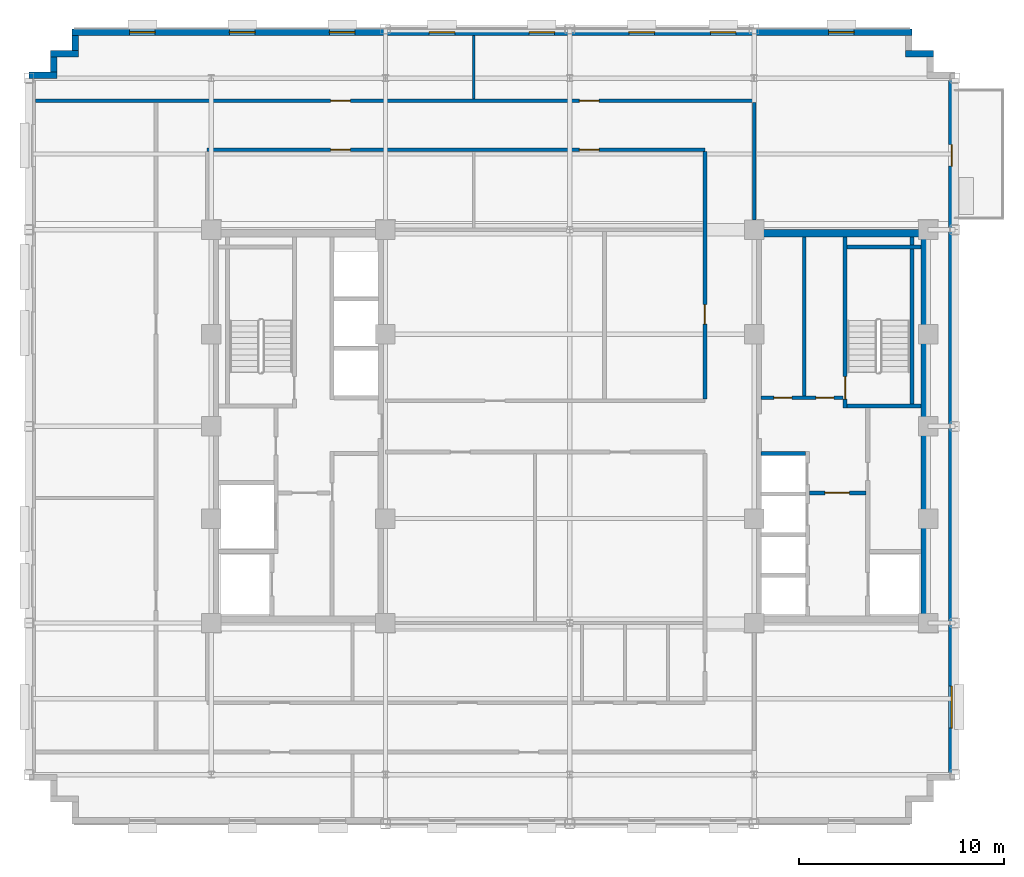
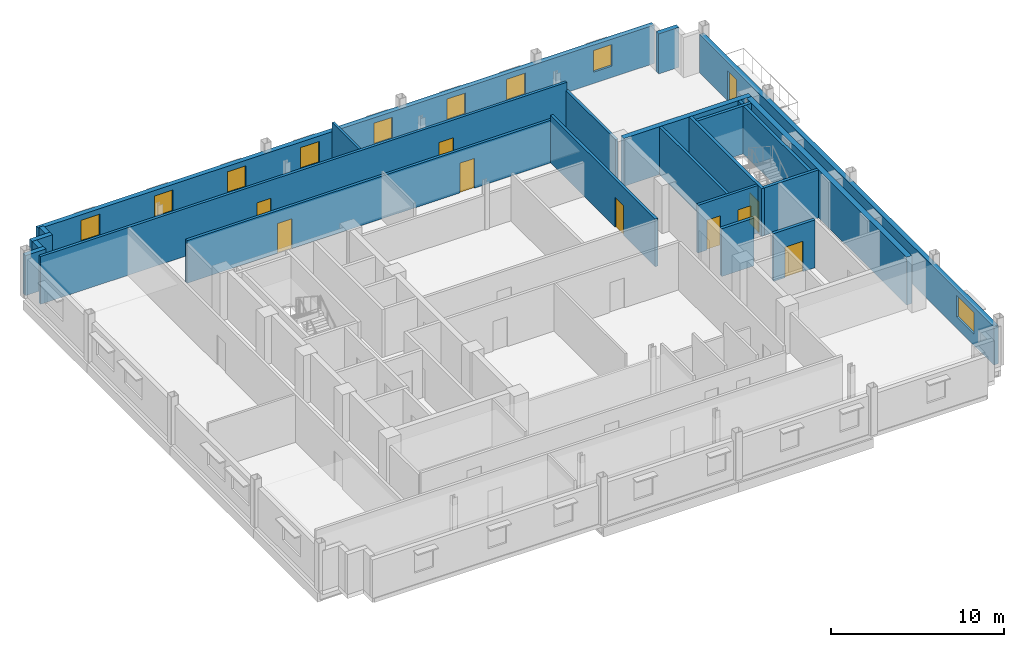
# One storey, part 8 of 13: 22 walls, 10 doors, 9 windows, 19 openings.
"""IFC4 building model written with IfcOpenShell, lengths in metres."""

from ifc_helpers import new_model, si_unit, direction, frame, frame_2d, origin, place, context, subcontext, project, spatial, rectangle, extrude, source, transform, mapped, material, layer, layer_set, type_object, type_shapes, element, fill, save


model = new_model("IFC4")

# Units and contexts
model_context = context("Model", 3, precision=1e-05, world=origin(), true_north=direction((0.0, 1.0)))
body_context = subcontext(model_context, "Body", "Model", "MODEL_VIEW")
ifc_project = project(units=[si_unit("LENGTHUNIT", "METRE"), si_unit("AREAUNIT", "SQUARE_METRE"), si_unit("VOLUMEUNIT", "CUBIC_METRE"), si_unit("PLANEANGLEUNIT", "RADIAN"), si_unit("MASSUNIT", "GRAM", prefix="KILO")], contexts=[model_context])

# Site, building, storey
site_placement = place(None, origin())
site = spatial("IfcSite", under=ifc_project, at=site_placement, CompositionType="ELEMENT")
building_placement = place(site_placement, origin())
building = spatial("IfcBuilding", under=site, at=building_placement, Name="Nuvemarco Arch Tower", CompositionType="ELEMENT")
storey_placement = place(building_placement, frame((0.0, 0.0, 216.449951171875)))
storey = spatial("IfcBuildingStorey", under=building, at=storey_placement, Name="L57", CompositionType="ELEMENT", Elevation=216.449951171875)

# Wall, openings, door, window
ifc_material_1 = material(Name="Precast concrete C45/55", Category="concrete")
ifc_layer_1 = layer(ifc_material_1, 0.31005859375, Name="EW-UPP-310")
ifc_layer_set_1 = layer_set([ifc_layer_1], Name="Precast concrete C45/55")
wall_type_1 = type_object("IfcWallType", Name="EW-UPP-310", PredefinedType="STANDARD", material=ifc_layer_set_1)
wall_1_placement = place(storey_placement, frame((18.64501953125, -16.993896484375, 0.0), z_axis=(0.0, 0.0, 1.0), x_axis=(0.0, 1.0, 0.0)))
wall_1 = element("IfcWall", 1, at=wall_1_placement, inside=storey, type_object=wall_type_1, Name="L57 exterior precast facade wall 6", PredefinedType="STANDARD", context=body_context, shape_type="SweptSolid", body=[
    extrude(rectangle(XDim=33.98779296875, YDim=0.31005859375, at=frame_2d((16.993896484375, 0.0))), origin(), (0.0, 0.0, 1.0), 2.705078125),
])
opening_1_placement = place(wall_1_placement, frame((30.744140625, 0.0, 0.0), z_axis=(0.0, 0.0, 1.0), x_axis=(-1.0, 0.0, 0.0)))
opening_1 = element("IfcOpeningElement", 2, at=opening_1_placement, cuts=wall_1, Name="Opening ED-5", PredefinedType="OPENING", context=body_context, shape_type="SweptSolid", body=[
    extrude(rectangle(XDim=1.050048828125, YDim=2.10009765625, at=frame_2d((0.52490234375, 1.050048828125))), frame((0.0, 0.1650390625, 0.0), z_axis=(0.0, -1.0, 0.0), x_axis=(1.0, 0.0, 0.0)), (0.0, 0.0, 1.0), 0.330078125),
])
opening_2_placement = place(wall_1_placement, frame((2.260009765625, 0.0, 0.800048828125)))
opening_2 = element("IfcOpeningElement", 3, at=opening_2_placement, cuts=wall_1, Name="Opening WN-12", PredefinedType="OPENING", context=body_context, shape_type="SweptSolid", body=[
    extrude(rectangle(XDim=2.050048828125, YDim=1.52001953125, at=frame_2d((1.02490234375, 0.760009765625))), frame((0.0, 0.1650390625, 0.0), z_axis=(0.0, -1.0, 0.0), x_axis=(1.0, 0.0, 0.0)), (0.0, 0.0, 1.0), 0.330078125),
])
ifc_material_2 = material(Name="Anodised bronze and laminated glass", Category="glass")
door_type_1 = type_object("IfcDoorType", Name="DR-EXT-TERR", OperationType="NOTDEFINED", PredefinedType="DOOR", material=ifc_material_2)
shared_shape_1 = source(origin(), body_context, "Body", "SweptSolid", [
    extrude(rectangle(XDim=1.050048828125, YDim=2.10009765625, at=frame_2d((0.52490234375, 1.050048828125))), frame((0.0, 0.02490234375, 0.0), z_axis=(0.0, -1.0, 0.0), x_axis=(1.0, 0.0, 0.0)), (0.0, 0.0, 1.0), 0.050048828125),
])
type_shapes(door_type_1, [shared_shape_1])
door_1_placement = place(opening_1_placement, origin())
door_1 = element("IfcDoor", 4, at=door_1_placement, inside=storey, type_object=door_type_1, Name="L57 spiral terrace access door", OperationType="SINGLE_SWING_LEFT", OverallHeight=2.10009765625, OverallWidth=1.050048828125, PredefinedType="DOOR", context=body_context, shape_type="MappedRepresentation", body=[
    mapped(shared_shape_1, transform((0.0, 0.0, 0.0), scale=1.0)),
])
fill(opening_1, door_1)
ifc_material_3 = material(Name="Insulated solar-control glass", Category="glass")
window_type_1 = type_object("IfcWindowType", Name="WN-SET-2050x1520", PartitioningType="DOUBLE_PANEL_VERTICAL", PredefinedType="WINDOW", material=ifc_material_3)
shared_shape_2 = source(origin(), body_context, "Body", "SweptSolid", [
    extrude(rectangle(XDim=2.050048828125, YDim=1.52001953125, at=frame_2d((1.02490234375, 0.760009765625))), frame((0.0, 0.030029296875, 0.0), z_axis=(0.0, -1.0, 0.0), x_axis=(1.0, 0.0, 0.0)), (0.0, 0.0, 1.0), 0.06005859375),
])
type_shapes(window_type_1, [shared_shape_2])
window_1_placement = place(opening_2_placement, origin())
window_1 = element("IfcWindow", 5, at=window_1_placement, inside=storey, type_object=window_type_1, Name="L57 punched facade window 1", OverallHeight=1.52001953125, OverallWidth=2.050048828125, PartitioningType="SINGLE_PANEL", PredefinedType="WINDOW", context=body_context, shape_type="MappedRepresentation", body=[
    mapped(shared_shape_2, transform((0.0, 0.0, 0.0), scale=1.0)),
])
fill(opening_2, window_1)

# Wall
wall_2_placement = place(storey_placement, frame((16.389892578125, 18.195068359375, 0.0), z_axis=(0.0, 0.0, 1.0), x_axis=(1.0, 0.0, 0.0)))
element("IfcWall", 6, at=wall_2_placement, inside=storey, type_object=wall_type_1, Name="L57 exterior precast facade wall 9", PredefinedType="STANDARD", context=body_context, shape_type="SweptSolid", body=[
    extrude(rectangle(XDim=1.360107421875, YDim=0.31005859375, at=frame_2d((0.68017578125, 0.0))), origin(), (0.0, 0.0, 1.0), 2.816162109375),
])

# Wall, openings, windows
wall_3_placement = place(storey_placement, frame((-24.300048828125, 19.2451171875, 0.0), z_axis=(0.0, 0.0, 1.0), x_axis=(1.0, 0.0, 0.0)))
wall_3 = element("IfcWall", 7, at=wall_3_placement, inside=storey, type_object=wall_type_1, Name="L57 exterior precast facade wall 11", PredefinedType="STANDARD", context=body_context, shape_type="SweptSolid", body=[
    extrude(rectangle(XDim=41.0, YDim=0.31005859375, at=frame_2d((20.5, 0.0))), origin(), (0.0, 0.0, 1.0), 2.705078125),
])
opening_3_placement = place(wall_3_placement, frame((2.8125, 0.0, 0.800048828125)))
opening_3 = element("IfcOpeningElement", 8, at=opening_3_placement, cuts=wall_3, Name="Opening WN-13", PredefinedType="OPENING", context=body_context, shape_type="SweptSolid", body=[
    extrude(rectangle(XDim=1.25, YDim=1.52001953125, at=frame_2d((0.625, 0.760009765625))), frame((0.0, 0.1650390625, 0.0), z_axis=(0.0, -1.0, 0.0), x_axis=(1.0, 0.0, 0.0)), (0.0, 0.0, 1.0), 0.330078125),
])
opening_4_placement = place(wall_3_placement, frame((7.6875, 0.0, 0.800048828125)))
opening_4 = element("IfcOpeningElement", 9, at=opening_4_placement, cuts=wall_3, Name="Opening WN-13", PredefinedType="OPENING", context=body_context, shape_type="SweptSolid", body=[
    extrude(rectangle(XDim=1.25, YDim=1.52001953125, at=frame_2d((0.625, 0.760009765625))), frame((0.0, 0.1650390625, 0.0), z_axis=(0.0, -1.0, 0.0), x_axis=(1.0, 0.0, 0.0)), (0.0, 0.0, 1.0), 0.330078125),
])
opening_5_placement = place(wall_3_placement, frame((12.5625, 0.0, 0.800048828125)))
opening_5 = element("IfcOpeningElement", 10, at=opening_5_placement, cuts=wall_3, Name="Opening WN-13", PredefinedType="OPENING", context=body_context, shape_type="SweptSolid", body=[
    extrude(rectangle(XDim=1.25, YDim=1.52001953125, at=frame_2d((0.625, 0.760009765625))), frame((0.0, 0.1650390625, 0.0), z_axis=(0.0, -1.0, 0.0), x_axis=(1.0, 0.0, 0.0)), (0.0, 0.0, 1.0), 0.330078125),
])
opening_6_placement = place(wall_3_placement, frame((17.4375, 0.0, 0.800048828125)))
opening_6 = element("IfcOpeningElement", 11, at=opening_6_placement, cuts=wall_3, Name="Opening WN-13", PredefinedType="OPENING", context=body_context, shape_type="SweptSolid", body=[
    extrude(rectangle(XDim=1.25, YDim=1.52001953125, at=frame_2d((0.625, 0.760009765625))), frame((0.0, 0.1650390625, 0.0), z_axis=(0.0, -1.0, 0.0), x_axis=(1.0, 0.0, 0.0)), (0.0, 0.0, 1.0), 0.330078125),
])
opening_7_placement = place(wall_3_placement, frame((22.3125, 0.0, 0.800048828125)))
opening_7 = element("IfcOpeningElement", 12, at=opening_7_placement, cuts=wall_3, Name="Opening WN-13", PredefinedType="OPENING", context=body_context, shape_type="SweptSolid", body=[
    extrude(rectangle(XDim=1.25, YDim=1.52001953125, at=frame_2d((0.625, 0.760009765625))), frame((0.0, 0.1650390625, 0.0), z_axis=(0.0, -1.0, 0.0), x_axis=(1.0, 0.0, 0.0)), (0.0, 0.0, 1.0), 0.330078125),
])
opening_8_placement = place(wall_3_placement, frame((27.1875, 0.0, 0.800048828125)))
opening_8 = element("IfcOpeningElement", 13, at=opening_8_placement, cuts=wall_3, Name="Opening WN-13", PredefinedType="OPENING", context=body_context, shape_type="SweptSolid", body=[
    extrude(rectangle(XDim=1.25, YDim=1.52001953125, at=frame_2d((0.625, 0.760009765625))), frame((0.0, 0.1650390625, 0.0), z_axis=(0.0, -1.0, 0.0), x_axis=(1.0, 0.0, 0.0)), (0.0, 0.0, 1.0), 0.330078125),
])
opening_9_placement = place(wall_3_placement, frame((31.16259765625, 0.0, 0.800048828125)))
opening_9 = element("IfcOpeningElement", 14, at=opening_9_placement, cuts=wall_3, Name="Opening WN-13", PredefinedType="OPENING", context=body_context, shape_type="SweptSolid", body=[
    extrude(rectangle(XDim=1.25, YDim=1.52001953125, at=frame_2d((0.625, 0.760009765625))), frame((0.0, 0.1650390625, 0.0), z_axis=(0.0, -1.0, 0.0), x_axis=(1.0, 0.0, 0.0)), (0.0, 0.0, 1.0), 0.330078125),
])
opening_10_placement = place(wall_3_placement, frame((36.9375, 0.0, 0.800048828125)))
opening_10 = element("IfcOpeningElement", 15, at=opening_10_placement, cuts=wall_3, Name="Opening WN-13", PredefinedType="OPENING", context=body_context, shape_type="SweptSolid", body=[
    extrude(rectangle(XDim=1.25, YDim=1.52001953125, at=frame_2d((0.625, 0.760009765625))), frame((0.0, 0.1650390625, 0.0), z_axis=(0.0, -1.0, 0.0), x_axis=(1.0, 0.0, 0.0)), (0.0, 0.0, 1.0), 0.330078125),
])
window_type_2 = type_object("IfcWindowType", Name="WN-SET-1250x1520", PartitioningType="SINGLE_PANEL", PredefinedType="WINDOW", material=ifc_material_3)
shared_shape_3 = source(origin(), body_context, "Body", "SweptSolid", [
    extrude(rectangle(XDim=1.25, YDim=1.52001953125, at=frame_2d((0.625, 0.760009765625))), frame((0.0, 0.030029296875, 0.0), z_axis=(0.0, -1.0, 0.0), x_axis=(1.0, 0.0, 0.0)), (0.0, 0.0, 1.0), 0.06005859375),
])
type_shapes(window_type_2, [shared_shape_3])
window_2_placement = place(opening_3_placement, origin())
window_2 = element("IfcWindow", 16, at=window_2_placement, inside=storey, type_object=window_type_2, Name="L57 punched facade window 1", OverallHeight=1.52001953125, OverallWidth=1.25, PartitioningType="SINGLE_PANEL", PredefinedType="WINDOW", context=body_context, shape_type="MappedRepresentation", body=[
    mapped(shared_shape_3, transform((0.0, 0.0, 0.0), scale=1.0)),
])
fill(opening_3, window_2)
window_3_placement = place(opening_4_placement, origin())
window_3 = element("IfcWindow", 17, at=window_3_placement, inside=storey, type_object=window_type_2, Name="L57 punched facade window 2", OverallHeight=1.52001953125, OverallWidth=1.25, PartitioningType="SINGLE_PANEL", PredefinedType="WINDOW", context=body_context, shape_type="MappedRepresentation", body=[
    mapped(shared_shape_3, transform((0.0, 0.0, 0.0), scale=1.0)),
])
fill(opening_4, window_3)
window_4_placement = place(opening_5_placement, origin())
window_4 = element("IfcWindow", 18, at=window_4_placement, inside=storey, type_object=window_type_2, Name="L57 punched facade window 3", OverallHeight=1.52001953125, OverallWidth=1.25, PartitioningType="SINGLE_PANEL", PredefinedType="WINDOW", context=body_context, shape_type="MappedRepresentation", body=[
    mapped(shared_shape_3, transform((0.0, 0.0, 0.0), scale=1.0)),
])
fill(opening_5, window_4)
window_5_placement = place(opening_6_placement, origin())
window_5 = element("IfcWindow", 19, at=window_5_placement, inside=storey, type_object=window_type_2, Name="L57 punched facade window 4", OverallHeight=1.52001953125, OverallWidth=1.25, PartitioningType="SINGLE_PANEL", PredefinedType="WINDOW", context=body_context, shape_type="MappedRepresentation", body=[
    mapped(shared_shape_3, transform((0.0, 0.0, 0.0), scale=1.0)),
])
fill(opening_6, window_5)
window_6_placement = place(opening_7_placement, origin())
window_6 = element("IfcWindow", 20, at=window_6_placement, inside=storey, type_object=window_type_2, Name="L57 punched facade window 5", OverallHeight=1.52001953125, OverallWidth=1.25, PartitioningType="SINGLE_PANEL", PredefinedType="WINDOW", context=body_context, shape_type="MappedRepresentation", body=[
    mapped(shared_shape_3, transform((0.0, 0.0, 0.0), scale=1.0)),
])
fill(opening_7, window_6)
window_7_placement = place(opening_8_placement, origin())
window_7 = element("IfcWindow", 21, at=window_7_placement, inside=storey, type_object=window_type_2, Name="L57 punched facade window 6", OverallHeight=1.52001953125, OverallWidth=1.25, PartitioningType="SINGLE_PANEL", PredefinedType="WINDOW", context=body_context, shape_type="MappedRepresentation", body=[
    mapped(shared_shape_3, transform((0.0, 0.0, 0.0), scale=1.0)),
])
fill(opening_8, window_7)
window_8_placement = place(opening_9_placement, origin())
window_8 = element("IfcWindow", 22, at=window_8_placement, inside=storey, type_object=window_type_2, Name="L57 punched facade window 7", OverallHeight=1.52001953125, OverallWidth=1.25, PartitioningType="SINGLE_PANEL", PredefinedType="WINDOW", context=body_context, shape_type="MappedRepresentation", body=[
    mapped(shared_shape_3, transform((0.0, 0.0, 0.0), scale=1.0)),
])
fill(opening_9, window_8)
window_9_placement = place(opening_10_placement, origin())
window_9 = element("IfcWindow", 23, at=window_9_placement, inside=storey, type_object=window_type_2, Name="L57 punched facade window 8", OverallHeight=1.52001953125, OverallWidth=1.25, PartitioningType="SINGLE_PANEL", PredefinedType="WINDOW", context=body_context, shape_type="MappedRepresentation", body=[
    mapped(shared_shape_3, transform((0.0, 0.0, 0.0), scale=1.0)),
])
fill(opening_10, window_9)

# Walls
wall_4_placement = place(storey_placement, frame((-24.14501953125, 18.345947265625, 0.0), z_axis=(0.0, 0.0, 1.0), x_axis=(0.0, 1.0, 0.0)))
element("IfcWall", 24, at=wall_4_placement, inside=storey, type_object=wall_type_1, Name="L57 exterior precast facade wall 12", PredefinedType="STANDARD", context=body_context, shape_type="SweptSolid", body=[
    extrude(rectangle(XDim=0.748046875, YDim=0.31005859375, at=frame_2d((0.3740234375, 0.0))), origin(), (0.0, 0.0, 1.0), 2.816162109375),
])
wall_5_placement = place(storey_placement, frame((-25.35009765625, 18.195068359375, 0.0), z_axis=(0.0, 0.0, 1.0), x_axis=(1.0, 0.0, 0.0)))
element("IfcWall", 25, at=wall_5_placement, inside=storey, type_object=wall_type_1, Name="L57 exterior precast facade wall 13", PredefinedType="STANDARD", context=body_context, shape_type="SweptSolid", body=[
    extrude(rectangle(XDim=1.360107421875, YDim=0.31005859375, at=frame_2d((0.68017578125, 0.0))), origin(), (0.0, 0.0, 1.0), 2.816162109375),
])
wall_6_placement = place(storey_placement, frame((-25.195068359375, 17.2958984375, 0.0), z_axis=(0.0, 0.0, 1.0), x_axis=(0.0, 1.0, 0.0)))
element("IfcWall", 26, at=wall_6_placement, inside=storey, type_object=wall_type_1, Name="L57 exterior precast facade wall 14", PredefinedType="STANDARD", context=body_context, shape_type="SweptSolid", body=[
    extrude(rectangle(XDim=0.748046875, YDim=0.31005859375, at=frame_2d((0.3740234375, 0.0))), origin(), (0.0, 0.0, 1.0), 2.816162109375),
])
wall_7_placement = place(storey_placement, frame((-26.39990234375, 17.14501953125, 0.0), z_axis=(0.0, 0.0, 1.0), x_axis=(1.0, 0.0, 0.0)))
element("IfcWall", 27, at=wall_7_placement, inside=storey, type_object=wall_type_1, Name="L57 exterior precast facade wall 15", PredefinedType="STANDARD", context=body_context, shape_type="SweptSolid", body=[
    extrude(rectangle(XDim=1.35986328125, YDim=0.31005859375, at=frame_2d((0.679931640625, 0.0))), origin(), (0.0, 0.0, 1.0), 2.816162109375),
])
ifc_material_4 = material(Name="Concrete C50/60", Category="concrete")
ifc_layer_2 = layer(ifc_material_4, 0.35009765625, Name="WL-CORE-350")
ifc_layer_set_2 = layer_set([ifc_layer_2], Name="Concrete C50/60")
wall_type_2 = type_object("IfcWallType", Name="WL-CORE-350", PredefinedType="SHEAR", material=ifc_layer_set_2)
wall_8_placement = place(storey_placement, frame((9.0, 9.425048828125, 0.0), z_axis=(0.0, 0.0, 1.0), x_axis=(1.0, 0.0, 0.0)))
element("IfcWall", 28, at=wall_8_placement, inside=storey, type_object=wall_type_2, Name="L57 E-core shear wall N", PredefinedType="SHEAR", context=body_context, shape_type="SweptSolid", body=[
    extrude(rectangle(XDim=8.5, YDim=0.35009765625, at=frame_2d((4.25, 0.0))), origin(), (0.0, 0.0, 1.0), 3.3701171875),
])
wall_9_placement = place(storey_placement, frame((17.324951171875, -9.2548828125, 0.0), z_axis=(0.0, 0.0, 1.0), x_axis=(0.0, 1.0, 0.0)))
element("IfcWall", 29, at=wall_9_placement, inside=storey, type_object=wall_type_2, Name="L57 E-core shear wall E", PredefinedType="SHEAR", context=body_context, shape_type="SweptSolid", body=[
    extrude(rectangle(XDim=18.509765625, YDim=0.35009765625, at=frame_2d((9.2548828125, 0.0))), origin(), (0.0, 0.0, 1.0), 3.3701171875),
])

# Wall, openings, doors
ifc_material_5 = material(Name="Fire-rated gypsum drywall partition")
ifc_layer_3 = layer(ifc_material_5, 0.179931640625, Name="WL-CORR-180")
ifc_layer_set_3 = layer_set([ifc_layer_3], Name="Fire-rated gypsum drywall partition")
wall_type_3 = type_object("IfcWallType", Name="WL-CORR-180", PredefinedType="PARTITIONING", material=ifc_layer_set_3)
wall_10_placement = place(storey_placement, frame((9.344970703125, 1.39990234375, 0.0), z_axis=(0.0, 0.0, 1.0), x_axis=(1.0, 0.0, 0.0)))
wall_10 = element("IfcWall", 30, at=wall_10_placement, inside=storey, type_object=wall_type_3, Name="L57 interior wall IW-L57-EK-S", PredefinedType="PARTITIONING", context=body_context, shape_type="SweptSolid", body=[
    extrude(rectangle(XDim=4.0, YDim=0.179931640625, at=frame_2d((2.0, 0.0))), origin(), (0.0, 0.0, 1.0), 3.360107421875),
])
opening_11_placement = place(wall_10_placement, frame((0.614990234375, 0.0, 0.0)))
opening_11 = element("IfcOpeningElement", 31, at=opening_11_placement, cuts=wall_10, Name="Opening FD-4", PredefinedType="OPENING", context=body_context, shape_type="SweptSolid", body=[
    extrude(rectangle(XDim=0.8798828125, YDim=2.10009765625, at=frame_2d((0.43994140625, 1.050048828125))), frame((0.0, 0.099853515625, 0.0), z_axis=(0.0, -1.0, 0.0), x_axis=(1.0, 0.0, 0.0)), (0.0, 0.0, 1.0), 0.199951171875),
])
opening_12_placement = place(wall_10_placement, frame((2.6650390625, 0.0, 0.0)))
opening_12 = element("IfcOpeningElement", 32, at=opening_12_placement, cuts=wall_10, Name="Opening FD-4", PredefinedType="OPENING", context=body_context, shape_type="SweptSolid", body=[
    extrude(rectangle(XDim=0.8798828125, YDim=2.10009765625, at=frame_2d((0.43994140625, 1.050048828125))), frame((0.0, 0.099853515625, 0.0), z_axis=(0.0, -1.0, 0.0), x_axis=(1.0, 0.0, 0.0)), (0.0, 0.0, 1.0), 0.199951171875),
])
ifc_material_6 = material(Name="Anodised steel fire door", Category="steel")
door_type_2 = type_object("IfcDoorType", Name="DR-RISER-FD", OperationType="NOTDEFINED", PredefinedType="DOOR", material=ifc_material_6)
shared_shape_4 = source(origin(), body_context, "Body", "SweptSolid", [
    extrude(rectangle(XDim=0.8798828125, YDim=2.10009765625, at=frame_2d((0.43994140625, 1.050048828125))), frame((0.0, 0.02490234375, 0.0), z_axis=(0.0, -1.0, 0.0), x_axis=(1.0, 0.0, 0.0)), (0.0, 0.0, 1.0), 0.050048828125),
])
type_shapes(door_type_2, [shared_shape_4])
door_2_placement = place(opening_11_placement, origin())
door_2 = element("IfcDoor", 33, at=door_2_placement, inside=storey, type_object=door_type_2, Name="L57 door FD-L57-EK2A", OperationType="SINGLE_SWING_RIGHT", OverallHeight=2.10009765625, OverallWidth=0.8798828125, PredefinedType="DOOR", context=body_context, shape_type="MappedRepresentation", body=[
    mapped(shared_shape_4, transform((0.0, 0.0, 0.0), scale=1.0)),
])
fill(opening_11, door_2)
door_3_placement = place(opening_12_placement, origin())
door_3 = element("IfcDoor", 34, at=door_3_placement, inside=storey, type_object=door_type_2, Name="L57 door FD-L57-EK2B", OperationType="SINGLE_SWING_LEFT", OverallHeight=2.10009765625, OverallWidth=0.8798828125, PredefinedType="DOOR", context=body_context, shape_type="MappedRepresentation", body=[
    mapped(shared_shape_4, transform((0.0, 0.0, 0.0), scale=1.0)),
])
fill(opening_12, door_3)

# Wall
wall_11_placement = place(storey_placement, frame((11.449951171875, 1.489990234375, 0.0), z_axis=(0.0, 0.0, 1.0), x_axis=(0.0, 1.0, 0.0)))
element("IfcWall", 35, at=wall_11_placement, inside=storey, type_object=wall_type_3, Name="L57 interior wall IW-L57-EK2", PredefinedType="PARTITIONING", context=body_context, shape_type="SweptSolid", body=[
    extrude(rectangle(XDim=7.764892578125, YDim=0.179931640625, at=frame_2d((3.88232421875, 0.0))), origin(), (0.0, 0.0, 1.0), 3.360107421875),
])

# Wall, openings, doors
wall_12_placement = place(storey_placement, frame((-17.699951171875, 13.5, 0.0), z_axis=(0.0, 0.0, 1.0), x_axis=(1.0, 0.0, 0.0)))
wall_12 = element("IfcWall", 36, at=wall_12_placement, inside=storey, type_object=wall_type_3, Name="L57 interior wall IW-L57-010", PredefinedType="PARTITIONING", context=body_context, shape_type="SweptSolid", body=[
    extrude(rectangle(XDim=24.300048828125, YDim=0.179931640625, at=frame_2d((12.14990234375, 0.0))), origin(), (0.0, 0.0, 1.0), 3.008056640625),
])
opening_13_placement = place(wall_12_placement, frame((6.02490234375, 0.0, 0.0)))
opening_13 = element("IfcOpeningElement", 37, at=opening_13_placement, cuts=wall_12, Name="Opening FD-5", PredefinedType="OPENING", context=body_context, shape_type="SweptSolid", body=[
    extrude(rectangle(XDim=0.9599609375, YDim=2.10009765625, at=frame_2d((0.47998046875, 1.050048828125))), frame((0.0, 0.099853515625, 0.0), z_axis=(0.0, -1.0, 0.0), x_axis=(1.0, 0.0, 0.0)), (0.0, 0.0, 1.0), 0.199951171875),
])
opening_14_placement = place(wall_12_placement, frame((18.175048828125, 0.0, 0.0)))
opening_14 = element("IfcOpeningElement", 38, at=opening_14_placement, cuts=wall_12, Name="Opening FD-5", PredefinedType="OPENING", context=body_context, shape_type="SweptSolid", body=[
    extrude(rectangle(XDim=0.9599609375, YDim=2.10009765625, at=frame_2d((0.47998046875, 1.050048828125))), frame((0.0, 0.099853515625, 0.0), z_axis=(0.0, -1.0, 0.0), x_axis=(1.0, 0.0, 0.0)), (0.0, 0.0, 1.0), 0.199951171875),
])
ifc_material_7 = material(Name="Timber fire door", Category="wood")
door_type_3 = type_object("IfcDoorType", Name="DR-CORR-FD", OperationType="NOTDEFINED", PredefinedType="DOOR", material=ifc_material_7)
shared_shape_5 = source(origin(), body_context, "Body", "SweptSolid", [
    extrude(rectangle(XDim=0.9599609375, YDim=2.10009765625, at=frame_2d((0.47998046875, 1.050048828125))), frame((0.0, 0.02490234375, 0.0), z_axis=(0.0, -1.0, 0.0), x_axis=(1.0, 0.0, 0.0)), (0.0, 0.0, 1.0), 0.050048828125),
])
type_shapes(door_type_3, [shared_shape_5])
door_4_placement = place(opening_13_placement, origin())
door_4 = element("IfcDoor", 39, at=door_4_placement, inside=storey, type_object=door_type_3, Name="L57 door DR-L57-IN_N1", OperationType="SINGLE_SWING_LEFT", OverallHeight=2.10009765625, OverallWidth=0.9599609375, PredefinedType="DOOR", context=body_context, shape_type="MappedRepresentation", body=[
    mapped(shared_shape_5, transform((0.0, 0.0, 0.0), scale=1.0)),
])
fill(opening_13, door_4)
door_5_placement = place(opening_14_placement, origin())
door_5 = element("IfcDoor", 40, at=door_5_placement, inside=storey, type_object=door_type_3, Name="L57 door DR-L57-N_2_2", OperationType="SINGLE_SWING_LEFT", OverallHeight=2.10009765625, OverallWidth=0.9599609375, PredefinedType="DOOR", context=body_context, shape_type="MappedRepresentation", body=[
    mapped(shared_shape_5, transform((0.0, 0.0, 0.0), scale=1.0)),
])
fill(opening_14, door_5)

wall_13_placement = place(storey_placement, frame((-26.090087890625, 15.89990234375, 0.0), z_axis=(0.0, 0.0, 1.0), x_axis=(1.0, 0.0, 0.0)))
wall_13 = element("IfcWall", 41, at=wall_13_placement, inside=storey, type_object=wall_type_3, Name="L57 interior wall IW-L57-011", PredefinedType="PARTITIONING", context=body_context, shape_type="SweptSolid", body=[
    extrude(rectangle(XDim=35.090087890625, YDim=0.179931640625, at=frame_2d((17.544921875, 0.0))), origin(), (0.0, 0.0, 1.0), 3.360107421875),
])
opening_15_placement = place(wall_13_placement, frame((14.4150390625, 0.0, 0.0)))
opening_15 = element("IfcOpeningElement", 42, at=opening_15_placement, cuts=wall_13, Name="Opening FD-5", PredefinedType="OPENING", context=body_context, shape_type="SweptSolid", body=[
    extrude(rectangle(XDim=0.9599609375, YDim=2.10009765625, at=frame_2d((0.47998046875, 1.050048828125))), frame((0.0, 0.099853515625, 0.0), z_axis=(0.0, -1.0, 0.0), x_axis=(1.0, 0.0, 0.0)), (0.0, 0.0, 1.0), 0.199951171875),
])
opening_16_placement = place(wall_13_placement, frame((26.56494140625, 0.0, 0.0)))
opening_16 = element("IfcOpeningElement", 43, at=opening_16_placement, cuts=wall_13, Name="Opening FD-5", PredefinedType="OPENING", context=body_context, shape_type="SweptSolid", body=[
    extrude(rectangle(XDim=0.9599609375, YDim=2.10009765625, at=frame_2d((0.47998046875, 1.050048828125))), frame((0.0, 0.099853515625, 0.0), z_axis=(0.0, -1.0, 0.0), x_axis=(1.0, 0.0, 0.0)), (0.0, 0.0, 1.0), 0.199951171875),
])
door_6_placement = place(opening_15_placement, origin())
door_6 = element("IfcDoor", 44, at=door_6_placement, inside=storey, type_object=door_type_3, Name="L57 door DR-L57-N_1", OperationType="SINGLE_SWING_RIGHT", OverallHeight=2.10009765625, OverallWidth=0.9599609375, PredefinedType="DOOR", context=body_context, shape_type="MappedRepresentation", body=[
    mapped(shared_shape_5, transform((0.0, 0.0, 0.0), scale=1.0)),
])
fill(opening_15, door_6)
door_7_placement = place(opening_16_placement, origin())
door_7 = element("IfcDoor", 45, at=door_7_placement, inside=storey, type_object=door_type_3, Name="L57 door DR-L57-N_2", OperationType="SINGLE_SWING_RIGHT", OverallHeight=2.10009765625, OverallWidth=0.9599609375, PredefinedType="DOOR", context=body_context, shape_type="MappedRepresentation", body=[
    mapped(shared_shape_5, transform((0.0, 0.0, 0.0), scale=1.0)),
])
fill(opening_16, door_7)

# Wall, opening, door
wall_14_placement = place(storey_placement, frame((6.60009765625, 1.3359375, 0.0), z_axis=(0.0, 0.0, 1.0), x_axis=(0.0, 1.0, 0.0)))
wall_14 = element("IfcWall", 46, at=wall_14_placement, inside=storey, type_object=wall_type_3, Name="L57 interior wall IW-L57-025", PredefinedType="PARTITIONING", context=body_context, shape_type="SweptSolid", body=[
    extrude(rectangle(XDim=12.078125, YDim=0.179931640625, at=frame_2d((6.0390625, 0.0))), origin(), (0.0, 0.0, 1.0), 3.360107421875),
])
opening_17_placement = place(wall_14_placement, frame((3.652099609375, 0.0, 0.0)))
opening_17 = element("IfcOpeningElement", 47, at=opening_17_placement, cuts=wall_14, Name="Opening FD-5", PredefinedType="OPENING", context=body_context, shape_type="SweptSolid", body=[
    extrude(rectangle(XDim=0.9599609375, YDim=2.10009765625, at=frame_2d((0.47998046875, 1.050048828125))), frame((0.0, 0.099853515625, 0.0), z_axis=(0.0, -1.0, 0.0), x_axis=(1.0, 0.0, 0.0)), (0.0, 0.0, 1.0), 0.199951171875),
])
door_8_placement = place(opening_17_placement, origin())
door_8 = element("IfcDoor", 48, at=door_8_placement, inside=storey, type_object=door_type_3, Name="L57 door DR-L57-C_NE", OperationType="SINGLE_SWING_RIGHT", OverallHeight=2.10009765625, OverallWidth=0.9599609375, PredefinedType="DOOR", context=body_context, shape_type="MappedRepresentation", body=[
    mapped(shared_shape_5, transform((0.0, 0.0, 0.0), scale=1.0)),
])
fill(opening_17, door_8)

# Walls
wall_15_placement = place(storey_placement, frame((9.0, 10.071044921875, 0.0), z_axis=(0.0, 0.0, 1.0), x_axis=(0.0, 1.0, 0.0)))
element("IfcWall", 49, at=wall_15_placement, inside=storey, type_object=wall_type_3, Name="L57 interior wall IW-L57-027", PredefinedType="PARTITIONING", context=body_context, shape_type="SweptSolid", body=[
    extrude(rectangle(XDim=5.742919921875, YDim=0.179931640625, at=frame_2d((2.87158203125, 0.0))), origin(), (0.0, 0.0, 1.0), 2.816162109375),
])
ifc_material_8 = material(Name="Gypsum plasterboard partition")
ifc_layer_4 = layer(ifc_material_8, 0.139892578125, Name="WL-ROOM-140")
ifc_layer_set_4 = layer_set([ifc_layer_4], Name="Gypsum plasterboard partition")
wall_type_4 = type_object("IfcWallType", Name="WL-ROOM-140", PredefinedType="PARTITIONING", material=ifc_layer_set_4)
wall_16_placement = place(storey_placement, frame((-4.68994140625, 15.986083984375, 0.0), z_axis=(0.0, 0.0, 1.0), x_axis=(0.0, 1.0, 0.0)))
element("IfcWall", 50, at=wall_16_placement, inside=storey, type_object=wall_type_4, Name="L57 interior wall IW-L57-018", PredefinedType="PARTITIONING", context=body_context, shape_type="SweptSolid", body=[
    extrude(rectangle(XDim=3.10400390625, YDim=0.139892578125, at=frame_2d((1.552001953125, 0.0))), origin(), (0.0, 0.0, 1.0), 3.360107421875),
])

# Wall, opening, door
ifc_layer_5 = layer(ifc_material_4, 0.199951171875, Name="WL-SHAFT-220")
ifc_layer_set_5 = layer_set([ifc_layer_5], Name="Concrete C50/60")
wall_type_5 = type_object("IfcWallType", Name="WL-SHAFT-220", PredefinedType="SHEAR", material=ifc_layer_set_5)
wall_17_placement = place(storey_placement, frame((13.43994140625, 0.89990234375, 0.0), z_axis=(0.0, 0.0, 1.0), x_axis=(0.0, 1.0, 0.0)))
wall_17 = element("IfcWall", 51, at=wall_17_placement, inside=storey, type_object=wall_type_5, Name="L57 structural shaft wall SW-L57-E-ST2W", PredefinedType="SHEAR", context=body_context, shape_type="SweptSolid", body=[
    extrude(rectangle(XDim=8.35498046875, YDim=0.199951171875, at=frame_2d((4.177490234375, 0.0))), origin(), (0.0, 0.0, 1.0), 3.3701171875),
])
opening_18_placement = place(wall_17_placement, frame((0.429931640625, 0.0, 0.0)))
opening_18 = element("IfcOpeningElement", 52, at=opening_18_placement, cuts=wall_17, Name="Opening FD-1", PredefinedType="OPENING", context=body_context, shape_type="SweptSolid", body=[
    extrude(rectangle(XDim=1.10009765625, YDim=2.14990234375, at=frame_2d((0.550048828125, 1.074951171875))), frame((0.0, 0.10986328125, 0.0), z_axis=(0.0, -1.0, 0.0), x_axis=(1.0, 0.0, 0.0)), (0.0, 0.0, 1.0), 0.219970703125),
])
door_type_4 = type_object("IfcDoorType", Name="DR-STAIR-FD", OperationType="NOTDEFINED", PredefinedType="DOOR", material=ifc_material_6)
shared_shape_6 = source(origin(), body_context, "Body", "SweptSolid", [
    extrude(rectangle(XDim=1.10009765625, YDim=2.14990234375, at=frame_2d((0.550048828125, 1.074951171875))), frame((0.0, 0.02490234375, 0.0), z_axis=(0.0, -1.0, 0.0), x_axis=(1.0, 0.0, 0.0)), (0.0, 0.0, 1.0), 0.050048828125),
])
type_shapes(door_type_4, [shared_shape_6])
door_9_placement = place(opening_18_placement, origin())
door_9 = element("IfcDoor", 53, at=door_9_placement, inside=storey, type_object=door_type_4, Name="L57 door FD-L57-ST2", OperationType="SINGLE_SWING_RIGHT", OverallHeight=2.14990234375, OverallWidth=1.10009765625, PredefinedType="DOOR", context=body_context, shape_type="MappedRepresentation", body=[
    mapped(shared_shape_6, transform((0.0, 0.0, 0.0), scale=1.0)),
])
fill(opening_18, door_9)

# Walls
for number, where, z_axis, x_axis, name in (
    (54, (13.534912109375, 1.0, 0.0), (0.0, 0.0, 1.0), (1.0, 0.0, 0.0), "L57 structural shaft wall SW-L57-E-ST2S"),
    (55, (13.534912109375, 8.75, 0.0), (0.0, 0.0, 1.0), (1.0, 0.0, 0.0), "L57 structural shaft wall SW-L57-E-ST2N"),
):
    element("IfcWall", number, at=place(storey_placement, frame(where, z_axis=z_axis, x_axis=x_axis)), inside=storey, type_object=wall_type_5, Name=name, PredefinedType="SHEAR", context=body_context, shape_type="SweptSolid", body=[
        extrude(rectangle(XDim=3.6201171875, YDim=0.199951171875, at=frame_2d((1.81005859375, 0.0))), origin(), (0.0, 0.0, 1.0), 3.3701171875),
    ])
wall_18_placement = place(storey_placement, frame((16.699951171875, 1.094970703125, 0.0), z_axis=(0.0, 0.0, 1.0), x_axis=(0.0, 1.0, 0.0)))
element("IfcWall", 56, at=wall_18_placement, inside=storey, type_object=wall_type_5, Name="L57 structural shaft wall SW-L57-E-ST2E", PredefinedType="SHEAR", context=body_context, shape_type="SweptSolid", body=[
    extrude(rectangle(XDim=8.159912109375, YDim=0.199951171875, at=frame_2d((4.080078125, 0.0))), origin(), (0.0, 0.0, 1.0), 3.3701171875),
])

# Wall, opening, door
wall_19_placement = place(storey_placement, frame((11.695068359375, -3.25, 0.0), z_axis=(0.0, 0.0, 1.0), x_axis=(1.0, 0.0, 0.0)))
wall_19 = element("IfcWall", 57, at=wall_19_placement, inside=storey, type_object=wall_type_5, Name="L57 structural shaft wall SW-L57-E-FFN", PredefinedType="SHEAR", context=body_context, shape_type="SweptSolid", body=[
    extrude(rectangle(XDim=2.760009765625, YDim=0.199951171875, at=frame_2d((1.3798828125, 0.0))), origin(), (0.0, 0.0, 1.0), 3.3701171875),
])
opening_19_placement = place(wall_19_placement, frame((0.7548828125, 0.0, 0.0)))
opening_19 = element("IfcOpeningElement", 58, at=opening_19_placement, cuts=wall_19, Name="Opening FD-2", PredefinedType="OPENING", context=body_context, shape_type="SweptSolid", body=[
    extrude(rectangle(XDim=1.199951171875, YDim=2.14990234375, at=frame_2d((0.60009765625, 1.074951171875))), frame((0.0, 0.10986328125, 0.0), z_axis=(0.0, -1.0, 0.0), x_axis=(1.0, 0.0, 0.0)), (0.0, 0.0, 1.0), 0.219970703125),
])
door_type_5 = type_object("IfcDoorType", Name="DR-FFLOB-FD", OperationType="NOTDEFINED", PredefinedType="DOOR", material=ifc_material_6)
shared_shape_7 = source(origin(), body_context, "Body", "SweptSolid", [
    extrude(rectangle(XDim=1.199951171875, YDim=2.14990234375, at=frame_2d((0.60009765625, 1.074951171875))), frame((0.0, 0.02490234375, 0.0), z_axis=(0.0, -1.0, 0.0), x_axis=(1.0, 0.0, 0.0)), (0.0, 0.0, 1.0), 0.050048828125),
])
type_shapes(door_type_5, [shared_shape_7])
door_10_placement = place(opening_19_placement, origin())
door_10 = element("IfcDoor", 59, at=door_10_placement, inside=storey, type_object=door_type_5, Name="L57 door FD-L57-EFF2", OperationType="SINGLE_SWING_RIGHT", OverallHeight=2.14990234375, OverallWidth=1.199951171875, PredefinedType="DOOR", context=body_context, shape_type="MappedRepresentation", body=[
    mapped(shared_shape_7, transform((0.0, 0.0, 0.0), scale=1.0)),
])
fill(opening_19, door_10)

# Wall
wall_20_placement = place(storey_placement, frame((9.344970703125, -1.330078125, 0.0), z_axis=(0.0, 0.0, 1.0), x_axis=(1.0, 0.0, 0.0)))
element("IfcWall", 60, at=wall_20_placement, inside=storey, type_object=wall_type_5, Name="L57 structural shaft wall SW-L57-E-PMD4", PredefinedType="SHEAR", context=body_context, shape_type="SweptSolid", body=[
    extrude(rectangle(XDim=2.159912109375, YDim=0.199951171875, at=frame_2d((1.080078125, 0.0))), origin(), (0.0, 0.0, 1.0), 3.3701171875),
])

save(model, "model.ifc")
